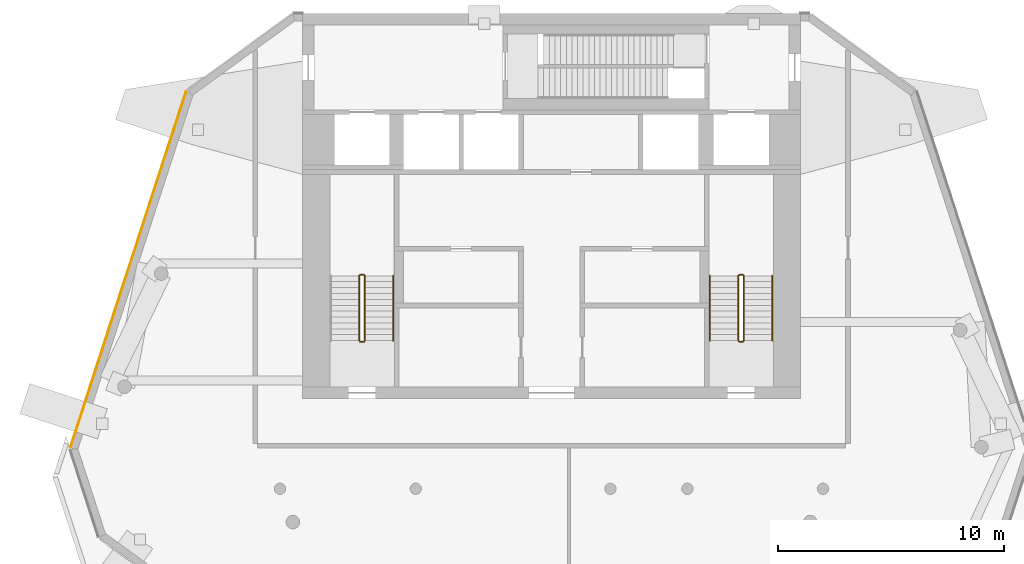
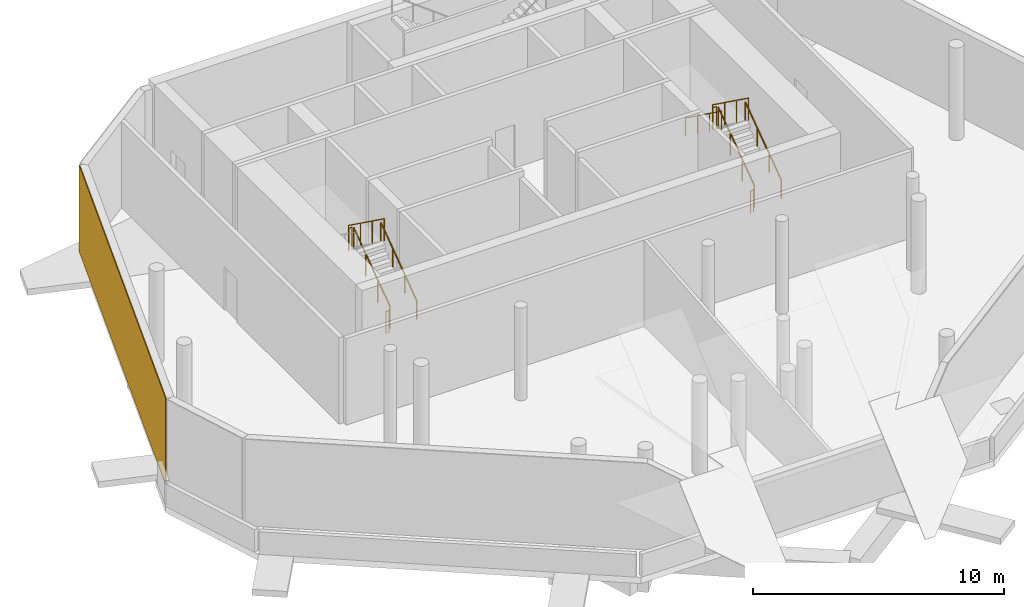
# One storey, part 6 of 8: 11 railings, 1 covering.
"""IFC4 building model written with IfcOpenShell, lengths in metres."""

from ifc_helpers import new_model, si_unit, direction, frame, origin, origin_2d, place, context, subcontext, project, spatial, polyline, circle, outline, extrude, material, layer, layer_set, type_object, element, save


model = new_model("IFC4")

# Units and contexts
model_context = context("Model", 3, precision=1e-05, world=origin(), true_north=direction((0.0, 1.0)))
body_context = subcontext(model_context, "Body", "Model", "MODEL_VIEW")
ifc_project = project(units=[si_unit("LENGTHUNIT", "METRE"), si_unit("AREAUNIT", "SQUARE_METRE"), si_unit("VOLUMEUNIT", "CUBIC_METRE"), si_unit("PLANEANGLEUNIT", "RADIAN"), si_unit("MASSUNIT", "GRAM", prefix="KILO")], contexts=[model_context])

# Site, building, storey
site_placement = place(None, origin())
site = spatial("IfcSite", under=ifc_project, at=site_placement, CompositionType="ELEMENT")
building_placement = place(site_placement, origin())
building = spatial("IfcBuilding", under=site, at=building_placement, Name="White Candle Pilgrim Tower", CompositionType="ELEMENT")
storey_placement = place(building_placement, frame((0.0, 0.0, 328.699951171875)))
storey = spatial("IfcBuildingStorey", under=building, at=storey_placement, Name="L77", CompositionType="ELEMENT", Elevation=328.699951171875)

# Railings
ifc_material_1 = material(Name="Stainless steel", Category="steel")
railing_type_1 = type_object("IfcRailingType", Name="Stair guard stainless steel 1100 mm", PredefinedType="GUARDRAIL", material=ifc_material_1)
railing_1_placement = place(storey_placement, frame((61.75, 73.550048828125, 0.1875)))
element("IfcRailing", 1, at=railing_1_placement, inside=storey, type_object=railing_type_1, Name="L77 ST1 stair guard 1", PredefinedType="GUARDRAIL", context=body_context, shape_type="SweptSolid", body=[
    extrude(circle(Radius=0.02392578125, at=origin_2d()), frame((0.0, 0.0, 1.076171875), z_axis=(0.0, 0.811077065594, 0.584939307678), x_axis=(-1.0, 0.0, 0.0)), (0.0, 0.0, 1.0), 3.526123046875),
    extrude(circle(Radius=0.02099609375, at=origin_2d()), origin(), (0.0, 0.0, 1.0), 1.052001953125),
    extrude(circle(Radius=0.02099609375, at=origin_2d()), frame((0.0, 0.953369140625, 0.6875)), (0.0, 0.0, 1.0), 1.052001953125),
    extrude(circle(Radius=0.02099609375, at=origin_2d()), frame((0.0, 1.906494140625, 1.375)), (0.0, 0.0, 1.0), 1.052001953125),
    extrude(circle(Radius=0.02099609375, at=origin_2d()), frame((0.0, 2.85986328125, 2.0625)), (0.0, 0.0, 1.0), 1.052001953125),
])
railing_2_placement = place(storey_placement, frame((61.699951171875, 76.4599609375, 2.25)))
element("IfcRailing", 2, at=railing_2_placement, inside=storey, type_object=railing_type_1, Name="L77 ST1 stair guard 2", PredefinedType="GUARDRAIL", context=body_context, shape_type="SweptSolid", body=[
    extrude(circle(Radius=0.02392578125, at=origin_2d()), frame((0.0, 0.0, 1.076171875), z_axis=(-1.0, 0.0, 0.0), x_axis=(0.0, -1.0, 0.0)), (0.0, 0.0, 1.0), 0.14990234375),
    extrude(circle(Radius=0.02099609375, at=origin_2d()), origin(), (0.0, 0.0, 1.0), 1.052001953125),
    extrude(circle(Radius=0.02099609375, at=origin_2d()), frame((-0.14990234375, 0.0, 0.0)), (0.0, 0.0, 1.0), 1.052001953125),
])
railing_3_placement = place(storey_placement, frame((61.5, 76.409912109375, 2.4375)))
element("IfcRailing", 3, at=railing_3_placement, inside=storey, type_object=railing_type_1, Name="L77 ST1 stair guard 3", PredefinedType="GUARDRAIL", context=body_context, shape_type="SweptSolid", body=[
    extrude(circle(Radius=0.02392578125, at=origin_2d()), frame((0.0, 0.0, 1.076171875), z_axis=(0.0, -0.811077065594, 0.584939307678), x_axis=(1.0, 0.0, 0.0)), (0.0, 0.0, 1.0), 3.526123046875),
    extrude(circle(Radius=0.02099609375, at=origin_2d()), origin(), (0.0, 0.0, 1.0), 1.052001953125),
    extrude(circle(Radius=0.02099609375, at=origin_2d()), frame((0.0, -0.953369140625, 0.6875)), (0.0, 0.0, 1.0), 1.052001953125),
    extrude(circle(Radius=0.02099609375, at=origin_2d()), frame((0.0, -1.906494140625, 1.375)), (0.0, 0.0, 1.0), 1.052001953125),
    extrude(circle(Radius=0.02099609375, at=origin_2d()), frame((0.0, -2.85986328125, 2.0625)), (0.0, 0.0, 1.0), 1.052001953125),
])
railing_4_placement = place(storey_placement, frame((61.699951171875, 73.5, 0.0)))
element("IfcRailing", 4, at=railing_4_placement, inside=storey, type_object=railing_type_1, Name="L77 ST1 stair guard 4", PredefinedType="GUARDRAIL", context=body_context, shape_type="SweptSolid", body=[
    extrude(circle(Radius=0.02392578125, at=origin_2d()), frame((0.0, 0.0, 1.076171875), z_axis=(-1.0, 0.0, 0.0), x_axis=(0.0, -1.0, 0.0)), (0.0, 0.0, 1.0), 0.14990234375),
    extrude(circle(Radius=0.02099609375, at=origin_2d()), origin(), (0.0, 0.0, 1.0), 1.052001953125),
    extrude(circle(Radius=0.02099609375, at=origin_2d()), frame((-0.14990234375, 0.0, 0.0)), (0.0, 0.0, 1.0), 1.052001953125),
])
railing_5_placement = place(storey_placement, frame((78.5, 73.550048828125, 0.1875)))
element("IfcRailing", 5, at=railing_5_placement, inside=storey, type_object=railing_type_1, Name="L77 ST2 stair guard 1", PredefinedType="GUARDRAIL", context=body_context, shape_type="SweptSolid", body=[
    extrude(circle(Radius=0.02392578125, at=origin_2d()), frame((0.0, 0.0, 1.076171875), z_axis=(0.0, 0.811077065594, 0.584939307678), x_axis=(-1.0, 0.0, 0.0)), (0.0, 0.0, 1.0), 3.526123046875),
    extrude(circle(Radius=0.02099609375, at=origin_2d()), origin(), (0.0, 0.0, 1.0), 1.052001953125),
    extrude(circle(Radius=0.02099609375, at=origin_2d()), frame((0.0, 0.953369140625, 0.6875)), (0.0, 0.0, 1.0), 1.052001953125),
    extrude(circle(Radius=0.02099609375, at=origin_2d()), frame((0.0, 1.906494140625, 1.375)), (0.0, 0.0, 1.0), 1.052001953125),
    extrude(circle(Radius=0.02099609375, at=origin_2d()), frame((0.0, 2.85986328125, 2.0625)), (0.0, 0.0, 1.0), 1.052001953125),
])
railing_6_placement = place(storey_placement, frame((78.449951171875, 76.4599609375, 2.25)))
element("IfcRailing", 6, at=railing_6_placement, inside=storey, type_object=railing_type_1, Name="L77 ST2 stair guard 2", PredefinedType="GUARDRAIL", context=body_context, shape_type="SweptSolid", body=[
    extrude(circle(Radius=0.02392578125, at=origin_2d()), frame((0.0, 0.0, 1.076171875), z_axis=(-1.0, 0.0, 0.0), x_axis=(0.0, -1.0, 0.0)), (0.0, 0.0, 1.0), 0.14990234375),
    extrude(circle(Radius=0.02099609375, at=origin_2d()), origin(), (0.0, 0.0, 1.0), 1.052001953125),
    extrude(circle(Radius=0.02099609375, at=origin_2d()), frame((-0.14990234375, 0.0, 0.0)), (0.0, 0.0, 1.0), 1.052001953125),
])
railing_7_placement = place(storey_placement, frame((78.25, 76.409912109375, 2.4375)))
element("IfcRailing", 7, at=railing_7_placement, inside=storey, type_object=railing_type_1, Name="L77 ST2 stair guard 3", PredefinedType="GUARDRAIL", context=body_context, shape_type="SweptSolid", body=[
    extrude(circle(Radius=0.02392578125, at=origin_2d()), frame((0.0, 0.0, 1.076171875), z_axis=(0.0, -0.811077065594, 0.584939307678), x_axis=(1.0, 0.0, 0.0)), (0.0, 0.0, 1.0), 3.526123046875),
    extrude(circle(Radius=0.02099609375, at=origin_2d()), origin(), (0.0, 0.0, 1.0), 1.052001953125),
    extrude(circle(Radius=0.02099609375, at=origin_2d()), frame((0.0, -0.953369140625, 0.6875)), (0.0, 0.0, 1.0), 1.052001953125),
    extrude(circle(Radius=0.02099609375, at=origin_2d()), frame((0.0, -1.906494140625, 1.375)), (0.0, 0.0, 1.0), 1.052001953125),
    extrude(circle(Radius=0.02099609375, at=origin_2d()), frame((0.0, -2.85986328125, 2.0625)), (0.0, 0.0, 1.0), 1.052001953125),
])
railing_8_placement = place(storey_placement, frame((78.449951171875, 73.5, 0.0)))
element("IfcRailing", 8, at=railing_8_placement, inside=storey, type_object=railing_type_1, Name="L77 ST2 stair guard 4", PredefinedType="GUARDRAIL", context=body_context, shape_type="SweptSolid", body=[
    extrude(circle(Radius=0.02392578125, at=origin_2d()), frame((0.0, 0.0, 1.076171875), z_axis=(-1.0, 0.0, 0.0), x_axis=(0.0, -1.0, 0.0)), (0.0, 0.0, 1.0), 0.14990234375),
    extrude(circle(Radius=0.02099609375, at=origin_2d()), origin(), (0.0, 0.0, 1.0), 1.052001953125),
    extrude(circle(Radius=0.02099609375, at=origin_2d()), frame((-0.14990234375, 0.0, 0.0)), (0.0, 0.0, 1.0), 1.052001953125),
])
railing_type_2 = type_object("IfcRailingType", Name="Stair handrail stainless steel", PredefinedType="HANDRAIL", material=ifc_material_1)
for number, where, name in (
    (9, (63.0, 73.550048828125, 0.1875), "L77 ST1 stair handrail 1"),
    (10, (79.75, 73.550048828125, 0.1875), "L77 ST2 stair handrail 1"),
):
    element("IfcRailing", number, at=place(storey_placement, frame(where)), inside=storey, type_object=railing_type_2, Name=name, PredefinedType="HANDRAIL", context=body_context, shape_type="SweptSolid", body=[
        extrude(circle(Radius=0.02392578125, at=origin_2d()), frame((0.0, 0.0, 0.8759765625), z_axis=(0.0, 0.811077065594, 0.584939307678), x_axis=(-1.0, 0.0, 0.0)), (0.0, 0.0, 1.0), 3.526123046875),
        extrude(circle(Radius=0.02099609375, at=origin_2d()), origin(), (0.0, 0.0, 1.0), 0.851806640625),
        extrude(circle(Radius=0.02099609375, at=origin_2d()), frame((0.0, 0.953369140625, 0.6875)), (0.0, 0.0, 1.0), 0.851806640625),
        extrude(circle(Radius=0.02099609375, at=origin_2d()), frame((0.0, 1.906494140625, 1.375)), (0.0, 0.0, 1.0), 0.851806640625),
        extrude(circle(Radius=0.02099609375, at=origin_2d()), frame((0.0, 2.85986328125, 2.0625)), (0.0, 0.0, 1.0), 0.851806640625),
    ])
railing_9_placement = place(storey_placement, frame((77.0, 76.409912109375, 2.4375)))
element("IfcRailing", 11, at=railing_9_placement, inside=storey, type_object=railing_type_2, Name="L77 ST2 stair handrail 2", PredefinedType="HANDRAIL", context=body_context, shape_type="SweptSolid", body=[
    extrude(circle(Radius=0.02392578125, at=origin_2d()), frame((0.0, 0.0, 0.8759765625), z_axis=(0.0, -0.811077065594, 0.584939307678), x_axis=(1.0, 0.0, 0.0)), (0.0, 0.0, 1.0), 3.526123046875),
    extrude(circle(Radius=0.02099609375, at=origin_2d()), origin(), (0.0, 0.0, 1.0), 0.851806640625),
    extrude(circle(Radius=0.02099609375, at=origin_2d()), frame((0.0, -0.953369140625, 0.6875)), (0.0, 0.0, 1.0), 0.851806640625),
    extrude(circle(Radius=0.02099609375, at=origin_2d()), frame((0.0, -1.906494140625, 1.375)), (0.0, 0.0, 1.0), 0.851806640625),
    extrude(circle(Radius=0.02099609375, at=origin_2d()), frame((0.0, -2.85986328125, 2.0625)), (0.0, 0.0, 1.0), 0.851806640625),
])

# Covering
ifc_material_2 = material(Name="Zinc standing seam")
ifc_layer = layer(ifc_material_2, 0.0400390625)
ifc_layer_set = layer_set([ifc_layer], Name="Zinc wall cladding CL3 40")
covering_type = type_object("IfcCoveringType", Name="Zinc wall cladding CL3 40", PredefinedType="CLADDING", material=ifc_layer_set)
covering_placement = place(storey_placement, frame((53.869384765625, 84.552001953125, 4.199951171875), z_axis=(0.951054870042, -0.309022060976, 0.0), x_axis=(-0.309022060976, -0.951054870042, 0.0)))
element("IfcCovering", 12, at=covering_placement, inside=storey, type_object=covering_type, Name="Zinc wall cladding L77 WNW", PredefinedType="CLADDING", context=body_context, shape_type="SweptSolid", body=[
    extrude(outline(polyline([(0.0, 0.0), (16.55850505692616, 0.0), (16.55850505692616, 4.199951171875), (0.0, 4.199951171875), (0.0, 0.0)])), origin(), (0.0, 0.0, -1.0), 0.0400390625),
])

save(model, "model.ifc")
